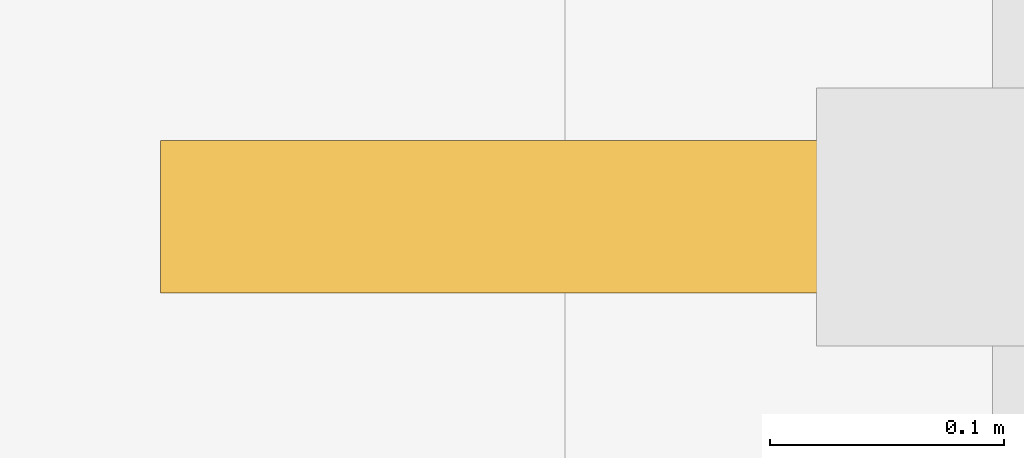
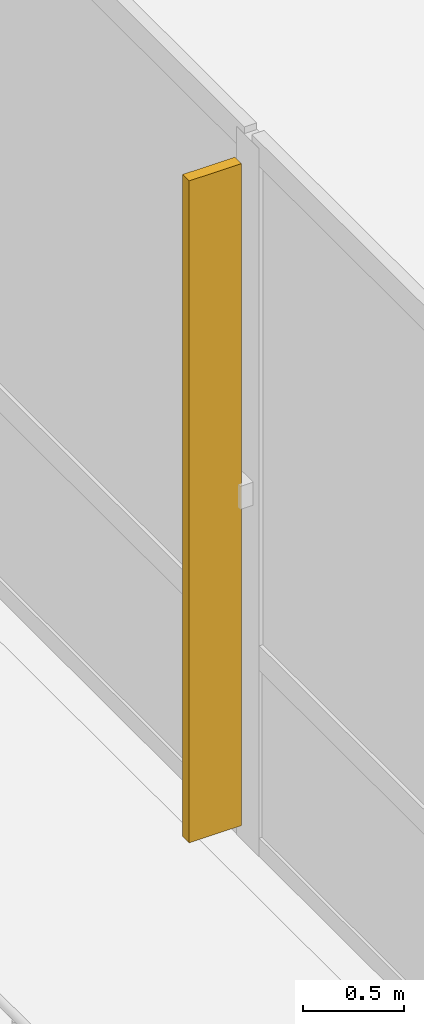
# One storey, part 23 of 27: 1 shading device.
"""IFC4 building model written with IfcOpenShell, lengths in metres."""

from ifc_helpers import new_model, si_unit, direction, frame, origin, place, context, subcontext, project, spatial, polyline, outline, extrude, material, layer, layer_set, type_object, element, save


model = new_model("IFC4")

# Units and contexts
model_context = context("Model", 3, precision=1e-05, world=origin(), true_north=direction((0.0, 1.0)))
body_context = subcontext(model_context, "Body", "Model", "MODEL_VIEW")
ifc_project = project(units=[si_unit("LENGTHUNIT", "METRE"), si_unit("AREAUNIT", "SQUARE_METRE"), si_unit("VOLUMEUNIT", "CUBIC_METRE"), si_unit("PLANEANGLEUNIT", "RADIAN"), si_unit("MASSUNIT", "GRAM", prefix="KILO")], contexts=[model_context])

# Site, building, storey
site_placement = place(None, origin())
site = spatial("IfcSite", under=ifc_project, at=site_placement, CompositionType="ELEMENT")
building_placement = place(site_placement, origin())
building = spatial("IfcBuilding", under=site, at=building_placement, Name="Qalmaran Belvedere Hotel", CompositionType="ELEMENT")
storey_placement = place(building_placement, frame((0.0, 0.0, 5.39990234375)))
storey = spatial("IfcBuildingStorey", under=building, at=storey_placement, Name="L01", CompositionType="ELEMENT", Elevation=5.39990234375)

# Shading device
ifc_material = material(Name="Anodised Bronze Aluminium", Category="aluminium")
ifc_layer = layer(ifc_material, 0.06494140625, Name="Anodised Bronze Aluminium")
ifc_layer_set = layer_set([ifc_layer], Name="Anodised Bronze Aluminium")
shading_device_type = type_object("IfcShadingDeviceType", Name="FIN-BRNZ-300", PredefinedType="USERDEFINED", material=ifc_layer_set)
shading_device_placement = place(storey_placement, frame((0.0, 0.0, 0.16015625)))
element("IfcShadingDevice", 1, at=shading_device_placement, inside=storey, type_object=shading_device_type, Name="L01 Bronze Fin 1", ObjectType="FIN", PredefinedType="USERDEFINED", context=body_context, shape_type="SweptSolid", body=[
    extrude(outline(polyline([(-2.37255859375, 42.21923828125), (-2.672607421875, 42.21923828125), (-2.672607421875, 42.154296875), (-2.37255859375, 42.154296875), (-2.37255859375, 42.21923828125)])), origin(), (0.0, 0.0, 1.0), 4.02001953125),
])

save(model, "model.ifc")
